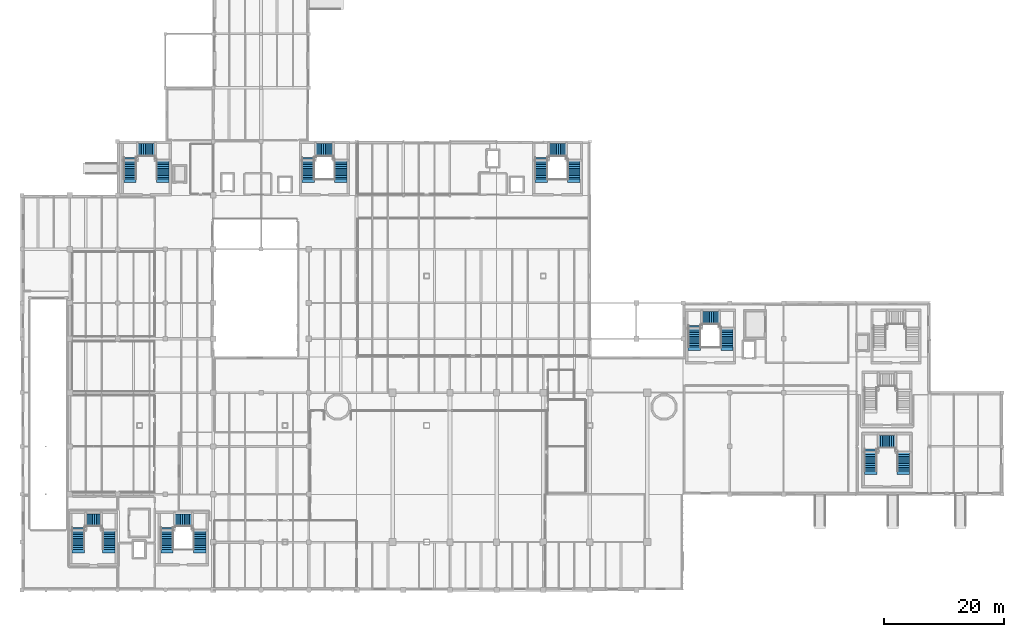
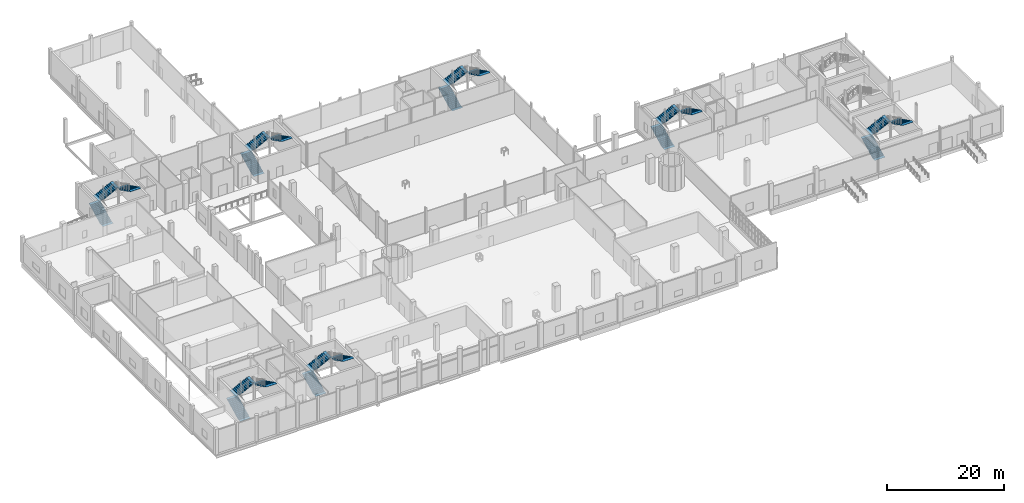
# One storey, part 48 of 57: 21 stair flights, 7 elements without a shape of their own.
"""IFC4 building model written with IfcOpenShell, lengths in metres."""

from ifc_helpers import new_model, si_unit, derived_unit, direction, frame, origin, place, context, subcontext, project, spatial, polyline, outline, extrude, material, type_object, element, aggregate, save


model = new_model("IFC4")

# Units and contexts
model_context = context("Model", 3, precision=1e-05, world=origin(), true_north=direction((0.0, 1.0)))
body_context = subcontext(model_context, "Body", "Model", "MODEL_VIEW")
ifc_project = project(units=[si_unit("LENGTHUNIT", "METRE"), si_unit("AREAUNIT", "SQUARE_METRE"), si_unit("VOLUMEUNIT", "CUBIC_METRE"), si_unit("PLANEANGLEUNIT", "RADIAN"), si_unit("MASSUNIT", "GRAM", prefix="KILO"), derived_unit("THERMALTRANSMITTANCEUNIT", [(si_unit("POWERUNIT", "WATT"), 1), (si_unit("LENGTHUNIT", "METRE"), -2), (si_unit("THERMODYNAMICTEMPERATUREUNIT", "KELVIN"), -1)])], contexts=[model_context])

# Site, building, storey
site_placement = place(None, origin())
site = spatial("IfcSite", under=ifc_project, at=site_placement, CompositionType="ELEMENT")
building_placement = place(site_placement, origin())
building = spatial("IfcBuilding", under=site, at=building_placement, Name="Nallur Shell Playhouse", CompositionType="ELEMENT")
storey_placement = place(building_placement, origin())
storey = spatial("IfcBuildingStorey", under=building, at=storey_placement, Name="L01", CompositionType="ELEMENT", Elevation=0.0)

# Stair, stair flights
ifc_material = material(Name="Concrete M35", Category="concrete")
stair_type = type_object("IfcStairType", Name="ST-CORE-54", PredefinedType="QUARTER_TURN_STAIR", material=ifc_material)
stair_1_placement = place(storey_placement, origin())
stair_1 = element("IfcStair", 1, at=stair_1_placement, inside=storey, type_object=stair_type, Name="Core JC-2 exit stair ST-02-L01 (L01 to L02)", PredefinedType="QUARTER_TURN_STAIR")
stair_flight_type_1 = type_object("IfcStairFlightType", Name="ST-FLIGHT-208", PredefinedType="STRAIGHT", material=ifc_material)
stair_flight_1_placement = place(storey_placement, frame((120.469970703125, 48.60009765625, 0.0), z_axis=(0.0, 0.0, 1.0), x_axis=(0.0, 1.0, 0.0)))
stair_flight_1 = element("IfcStairFlight", 2, at=stair_flight_1_placement, type_object=stair_flight_type_1, Name="ST-54 flight 1", NumberOfRisers=13, NumberOfTreads=12, PredefinedType="STRAIGHT", RiserHeight=0.154286, TreadLength=0.305, context=body_context, shape_type="SweptSolid", body=[
    extrude(outline(polyline([(-0.580078125, 0.0), (-0.580078125, 0.01806640625), (0.0, 0.01806640625), (0.0, 0.154296875), (0.304931640625, 0.154296875), (0.304931640625, 0.30859375), (0.610107421875, 0.30859375), (0.610107421875, 0.462890625), (0.9150390625, 0.462890625), (0.9150390625, 0.6171875), (1.219970703125, 0.6171875), (1.219970703125, 0.771484375), (1.52490234375, 0.771484375), (1.52490234375, 0.92578125), (1.830078125, 0.92578125), (1.830078125, 1.080078125), (2.135009765625, 1.080078125), (2.135009765625, 1.234375), (2.43994140625, 1.234375), (2.43994140625, 1.388671875), (2.7451171875, 1.388671875), (2.7451171875, 1.54296875), (3.050048828125, 1.54296875), (3.050048828125, 1.697265625), (3.35498046875, 1.697265625), (3.35498046875, 1.851318359375), (3.659912109375, 1.851318359375), (3.659912109375, 2.005615234375), (4.239990234375, 2.005615234375), (4.239990234375, 1.987548828125), (3.659912109375, 1.672119140625), (0.354248046875, 0.0), (-0.580078125, 0.0)])), frame((0.0, 1.030029296875, 0.0), z_axis=(0.0, -1.0, 0.0), x_axis=(1.0, 0.0, 0.0)), (0.0, 0.0, 1.0), 2.06005859375),
])
stair_flight_2_placement = place(storey_placement, frame((121.827392578125, 53.510009765625, 2.005615234375), z_axis=(0.0, 0.0, 1.0), x_axis=(1.0, 0.0, 0.0)))
stair_flight_2 = element("IfcStairFlight", 3, at=stair_flight_2_placement, type_object=stair_flight_type_1, Name="ST-54 flight 2", NumberOfRisers=10, NumberOfTreads=9, PredefinedType="STRAIGHT", RiserHeight=0.154286, TreadLength=0.305, context=body_context, shape_type="SweptSolid", body=[
    extrude(outline(polyline([(-0.580078125, 0.0), (-0.580078125, 0.01806640625), (0.0, 0.01806640625), (0.0, 0.154296875), (0.304931640625, 0.154296875), (0.304931640625, 0.30859375), (0.610107421875, 0.30859375), (0.610107421875, 0.462890625), (0.9150390625, 0.462890625), (0.9150390625, 0.6171875), (1.219970703125, 0.6171875), (1.219970703125, 0.771484375), (1.52490234375, 0.771484375), (1.52490234375, 0.92578125), (1.830078125, 0.92578125), (1.830078125, 1.080078125), (2.135009765625, 1.080078125), (2.135009765625, 1.234375), (2.43994140625, 1.234375), (2.43994140625, 1.388671875), (2.7451171875, 1.388671875), (2.7451171875, 1.54296875), (3.3251953125, 1.54296875), (3.3251953125, 1.52490234375), (2.7451171875, 1.20947265625), (0.354248046875, 0.0), (-0.580078125, 0.0)])), frame((0.0, 1.030029296875, 0.0), z_axis=(0.0, -1.0, 0.0), x_axis=(1.0, 0.0, 0.0)), (0.0, 0.0, 1.0), 2.06005859375),
])
stair_flight_3_placement = place(storey_placement, frame((125.929931640625, 51.955078125, 3.548583984375), z_axis=(0.0, 0.0, 1.0), x_axis=(0.0, -1.0, 0.0)))
stair_flight_3 = element("IfcStairFlight", 4, at=stair_flight_3_placement, type_object=stair_flight_type_1, Name="ST-54 flight 3", NumberOfRisers=12, NumberOfTreads=11, PredefinedType="STRAIGHT", RiserHeight=0.154286, TreadLength=0.305, context=body_context, shape_type="SweptSolid", body=[
    extrude(outline(polyline([(-0.580078125, 0.0), (-0.580078125, 0.01806640625), (0.0, 0.01806640625), (0.0, 0.154296875), (0.304931640625, 0.154296875), (0.304931640625, 0.30859375), (0.610107421875, 0.30859375), (0.610107421875, 0.462890625), (0.9150390625, 0.462890625), (0.9150390625, 0.6171875), (1.219970703125, 0.6171875), (1.219970703125, 0.771484375), (1.52490234375, 0.771484375), (1.52490234375, 0.92578125), (1.830078125, 0.92578125), (1.830078125, 1.080078125), (2.135009765625, 1.080078125), (2.135009765625, 1.234375), (2.43994140625, 1.234375), (2.43994140625, 1.388671875), (2.7451171875, 1.388671875), (2.7451171875, 1.54296875), (3.050048828125, 1.54296875), (3.050048828125, 1.697265625), (3.35498046875, 1.697265625), (3.35498046875, 1.851318359375), (3.93505859375, 1.851318359375), (3.93505859375, 1.833251953125), (3.35498046875, 1.517822265625), (0.354248046875, 0.0), (-0.580078125, 0.0)])), frame((0.0, 1.030029296875, 0.0), z_axis=(0.0, -1.0, 0.0), x_axis=(1.0, 0.0, 0.0)), (0.0, 0.0, 1.0), 2.06005859375),
])
aggregate(stair_1, [stair_flight_1, stair_flight_2, stair_flight_3])

stair_2_placement = place(storey_placement, origin())
stair_2 = element("IfcStair", 5, at=stair_2_placement, inside=storey, type_object=stair_type, Name="Core JC-4 exit stair ST-04-L01 (L01 to L02)", PredefinedType="QUARTER_TURN_STAIR")
stair_flight_4_placement = place(storey_placement, frame((94.8701171875, 76.699951171875, 0.0), z_axis=(0.0, 0.0, 1.0), x_axis=(0.0, 1.0, 0.0)))
stair_flight_4 = element("IfcStairFlight", 6, at=stair_flight_4_placement, type_object=stair_flight_type_1, Name="ST-54 flight 1", NumberOfRisers=13, NumberOfTreads=12, PredefinedType="STRAIGHT", RiserHeight=0.154286, TreadLength=0.305, context=body_context, shape_type="SweptSolid", body=[
    extrude(outline(polyline([(-0.580078125, 0.0), (-0.580078125, 0.01806640625), (0.0, 0.01806640625), (0.0, 0.154296875), (0.304931640625, 0.154296875), (0.304931640625, 0.30859375), (0.610107421875, 0.30859375), (0.610107421875, 0.462890625), (0.9150390625, 0.462890625), (0.9150390625, 0.6171875), (1.219970703125, 0.6171875), (1.219970703125, 0.771484375), (1.52490234375, 0.771484375), (1.52490234375, 0.92578125), (1.830078125, 0.92578125), (1.830078125, 1.080078125), (2.135009765625, 1.080078125), (2.135009765625, 1.234375), (2.43994140625, 1.234375), (2.43994140625, 1.388671875), (2.7451171875, 1.388671875), (2.7451171875, 1.54296875), (3.050048828125, 1.54296875), (3.050048828125, 1.697265625), (3.35498046875, 1.697265625), (3.35498046875, 1.851318359375), (3.659912109375, 1.851318359375), (3.659912109375, 2.005615234375), (4.239990234375, 2.005615234375), (4.239990234375, 1.987548828125), (3.659912109375, 1.672119140625), (0.354248046875, 0.0), (-0.580078125, 0.0)])), frame((0.0, 1.030029296875, 0.0), z_axis=(0.0, -1.0, 0.0), x_axis=(1.0, 0.0, 0.0)), (0.0, 0.0, 1.0), 2.06005859375),
])
stair_flight_5_placement = place(storey_placement, frame((96.2275390625, 81.610107421875, 2.005615234375), z_axis=(0.0, 0.0, 1.0), x_axis=(1.0, 0.0, 0.0)))
stair_flight_5 = element("IfcStairFlight", 7, at=stair_flight_5_placement, type_object=stair_flight_type_1, Name="ST-54 flight 2", NumberOfRisers=10, NumberOfTreads=9, PredefinedType="STRAIGHT", RiserHeight=0.154286, TreadLength=0.305, context=body_context, shape_type="SweptSolid", body=[
    extrude(outline(polyline([(-0.580078125, 0.0), (-0.580078125, 0.01806640625), (0.0, 0.01806640625), (0.0, 0.154296875), (0.304931640625, 0.154296875), (0.304931640625, 0.30859375), (0.610107421875, 0.30859375), (0.610107421875, 0.462890625), (0.9150390625, 0.462890625), (0.9150390625, 0.6171875), (1.219970703125, 0.6171875), (1.219970703125, 0.771484375), (1.52490234375, 0.771484375), (1.52490234375, 0.92578125), (1.830078125, 0.92578125), (1.830078125, 1.080078125), (2.135009765625, 1.080078125), (2.135009765625, 1.234375), (2.43994140625, 1.234375), (2.43994140625, 1.388671875), (2.7451171875, 1.388671875), (2.7451171875, 1.54296875), (3.3251953125, 1.54296875), (3.3251953125, 1.52490234375), (2.7451171875, 1.20947265625), (0.354248046875, 0.0), (-0.580078125, 0.0)])), frame((0.0, 1.030029296875, 0.0), z_axis=(0.0, -1.0, 0.0), x_axis=(1.0, 0.0, 0.0)), (0.0, 0.0, 1.0), 2.06005859375),
])
stair_flight_6_placement = place(storey_placement, frame((100.330078125, 80.054931640625, 3.548583984375), z_axis=(0.0, 0.0, 1.0), x_axis=(0.0, -1.0, 0.0)))
stair_flight_6 = element("IfcStairFlight", 8, at=stair_flight_6_placement, type_object=stair_flight_type_1, Name="ST-54 flight 3", NumberOfRisers=12, NumberOfTreads=11, PredefinedType="STRAIGHT", RiserHeight=0.154286, TreadLength=0.305, context=body_context, shape_type="SweptSolid", body=[
    extrude(outline(polyline([(-0.580078125, 0.0), (-0.580078125, 0.01806640625), (0.0, 0.01806640625), (0.0, 0.154296875), (0.304931640625, 0.154296875), (0.304931640625, 0.30859375), (0.610107421875, 0.30859375), (0.610107421875, 0.462890625), (0.9150390625, 0.462890625), (0.9150390625, 0.6171875), (1.219970703125, 0.6171875), (1.219970703125, 0.771484375), (1.52490234375, 0.771484375), (1.52490234375, 0.92578125), (1.830078125, 0.92578125), (1.830078125, 1.080078125), (2.135009765625, 1.080078125), (2.135009765625, 1.234375), (2.43994140625, 1.234375), (2.43994140625, 1.388671875), (2.7451171875, 1.388671875), (2.7451171875, 1.54296875), (3.050048828125, 1.54296875), (3.050048828125, 1.697265625), (3.35498046875, 1.697265625), (3.35498046875, 1.851318359375), (3.93505859375, 1.851318359375), (3.93505859375, 1.833251953125), (3.35498046875, 1.517822265625), (0.354248046875, 0.0), (-0.580078125, 0.0)])), frame((0.0, 1.030029296875, 0.0), z_axis=(0.0, -1.0, 0.0), x_axis=(1.0, 0.0, 0.0)), (0.0, 0.0, 1.0), 2.06005859375),
])
aggregate(stair_2, [stair_flight_4, stair_flight_5, stair_flight_6])

stair_3_placement = place(storey_placement, origin())
stair_3 = element("IfcStair", 9, at=stair_3_placement, inside=storey, type_object=stair_type, Name="Core JC-7 exit stair ST-07-L01 (L01 to L02)", PredefinedType="QUARTER_TURN_STAIR")
stair_flight_7_placement = place(storey_placement, frame((17.419921875, 14.800048828125, 0.0), z_axis=(0.0, 0.0, 1.0), x_axis=(0.0, 1.0, 0.0)))
stair_flight_7 = element("IfcStairFlight", 10, at=stair_flight_7_placement, type_object=stair_flight_type_1, Name="ST-54 flight 1", NumberOfRisers=13, NumberOfTreads=12, PredefinedType="STRAIGHT", RiserHeight=0.154286, TreadLength=0.305, context=body_context, shape_type="SweptSolid", body=[
    extrude(outline(polyline([(-0.580078125, 0.0), (-0.580078125, 0.01806640625), (0.0, 0.01806640625), (0.0, 0.154296875), (0.304931640625, 0.154296875), (0.304931640625, 0.30859375), (0.610107421875, 0.30859375), (0.610107421875, 0.462890625), (0.9150390625, 0.462890625), (0.9150390625, 0.6171875), (1.219970703125, 0.6171875), (1.219970703125, 0.771484375), (1.52490234375, 0.771484375), (1.52490234375, 0.92578125), (1.830078125, 0.92578125), (1.830078125, 1.080078125), (2.135009765625, 1.080078125), (2.135009765625, 1.234375), (2.43994140625, 1.234375), (2.43994140625, 1.388671875), (2.7451171875, 1.388671875), (2.7451171875, 1.54296875), (3.050048828125, 1.54296875), (3.050048828125, 1.697265625), (3.35498046875, 1.697265625), (3.35498046875, 1.851318359375), (3.659912109375, 1.851318359375), (3.659912109375, 2.005615234375), (4.239990234375, 2.005615234375), (4.239990234375, 1.987548828125), (3.659912109375, 1.672119140625), (0.354248046875, 0.0), (-0.580078125, 0.0)])), frame((0.0, 1.030029296875, 0.0), z_axis=(0.0, -1.0, 0.0), x_axis=(1.0, 0.0, 0.0)), (0.0, 0.0, 1.0), 2.06005859375),
])
stair_flight_8_placement = place(storey_placement, frame((18.6025390625, 19.7099609375, 2.005615234375), z_axis=(0.0, 0.0, 1.0), x_axis=(1.0, 0.0, 0.0)))
stair_flight_8 = element("IfcStairFlight", 11, at=stair_flight_8_placement, type_object=stair_flight_type_1, Name="ST-54 flight 2", NumberOfRisers=10, NumberOfTreads=9, PredefinedType="STRAIGHT", RiserHeight=0.154286, TreadLength=0.305, context=body_context, shape_type="SweptSolid", body=[
    extrude(outline(polyline([(-0.580078125, 0.0), (-0.580078125, 0.01806640625), (0.0, 0.01806640625), (0.0, 0.154296875), (0.304931640625, 0.154296875), (0.304931640625, 0.30859375), (0.610107421875, 0.30859375), (0.610107421875, 0.462890625), (0.9150390625, 0.462890625), (0.9150390625, 0.6171875), (1.219970703125, 0.6171875), (1.219970703125, 0.771484375), (1.52490234375, 0.771484375), (1.52490234375, 0.92578125), (1.830078125, 0.92578125), (1.830078125, 1.080078125), (2.135009765625, 1.080078125), (2.135009765625, 1.234375), (2.43994140625, 1.234375), (2.43994140625, 1.388671875), (2.7451171875, 1.388671875), (2.7451171875, 1.54296875), (3.3251953125, 1.54296875), (3.3251953125, 1.52490234375), (2.7451171875, 1.20947265625), (0.354248046875, 0.0), (-0.580078125, 0.0)])), frame((0.0, 1.030029296875, 0.0), z_axis=(0.0, -1.0, 0.0), x_axis=(1.0, 0.0, 0.0)), (0.0, 0.0, 1.0), 2.06005859375),
])
stair_flight_9_placement = place(storey_placement, frame((22.530029296875, 18.155029296875, 3.548583984375), z_axis=(0.0, 0.0, 1.0), x_axis=(0.0, -1.0, 0.0)))
stair_flight_9 = element("IfcStairFlight", 12, at=stair_flight_9_placement, type_object=stair_flight_type_1, Name="ST-54 flight 3", NumberOfRisers=12, NumberOfTreads=11, PredefinedType="STRAIGHT", RiserHeight=0.154286, TreadLength=0.305, context=body_context, shape_type="SweptSolid", body=[
    extrude(outline(polyline([(-0.580078125, 0.0), (-0.580078125, 0.01806640625), (0.0, 0.01806640625), (0.0, 0.154296875), (0.304931640625, 0.154296875), (0.304931640625, 0.30859375), (0.610107421875, 0.30859375), (0.610107421875, 0.462890625), (0.9150390625, 0.462890625), (0.9150390625, 0.6171875), (1.219970703125, 0.6171875), (1.219970703125, 0.771484375), (1.52490234375, 0.771484375), (1.52490234375, 0.92578125), (1.830078125, 0.92578125), (1.830078125, 1.080078125), (2.135009765625, 1.080078125), (2.135009765625, 1.234375), (2.43994140625, 1.234375), (2.43994140625, 1.388671875), (2.7451171875, 1.388671875), (2.7451171875, 1.54296875), (3.050048828125, 1.54296875), (3.050048828125, 1.697265625), (3.35498046875, 1.697265625), (3.35498046875, 1.851318359375), (3.93505859375, 1.851318359375), (3.93505859375, 1.833251953125), (3.35498046875, 1.517822265625), (0.354248046875, 0.0), (-0.580078125, 0.0)])), frame((0.0, 1.030029296875, 0.0), z_axis=(0.0, -1.0, 0.0), x_axis=(1.0, 0.0, 0.0)), (0.0, 0.0, 1.0), 2.06005859375),
])
aggregate(stair_3, [stair_flight_7, stair_flight_8, stair_flight_9])

stair_4_placement = place(storey_placement, origin())
stair_4 = element("IfcStair", 13, at=stair_4_placement, inside=storey, type_object=stair_type, Name="Core JC-8 exit stair ST-08-L01 (L01 to L02)", PredefinedType="QUARTER_TURN_STAIR")
stair_flight_10_placement = place(storey_placement, frame((149.969970703125, 27.89990234375, 0.0), z_axis=(0.0, 0.0, 1.0), x_axis=(0.0, 1.0, 0.0)))
stair_flight_10 = element("IfcStairFlight", 14, at=stair_flight_10_placement, type_object=stair_flight_type_1, Name="ST-54 flight 1", NumberOfRisers=13, NumberOfTreads=12, PredefinedType="STRAIGHT", RiserHeight=0.154286, TreadLength=0.305, context=body_context, shape_type="SweptSolid", body=[
    extrude(outline(polyline([(-0.580078125, 0.0), (-0.580078125, 0.01806640625), (0.0, 0.01806640625), (0.0, 0.154296875), (0.304931640625, 0.154296875), (0.304931640625, 0.30859375), (0.610107421875, 0.30859375), (0.610107421875, 0.462890625), (0.9150390625, 0.462890625), (0.9150390625, 0.6171875), (1.219970703125, 0.6171875), (1.219970703125, 0.771484375), (1.52490234375, 0.771484375), (1.52490234375, 0.92578125), (1.830078125, 0.92578125), (1.830078125, 1.080078125), (2.135009765625, 1.080078125), (2.135009765625, 1.234375), (2.43994140625, 1.234375), (2.43994140625, 1.388671875), (2.7451171875, 1.388671875), (2.7451171875, 1.54296875), (3.050048828125, 1.54296875), (3.050048828125, 1.697265625), (3.35498046875, 1.697265625), (3.35498046875, 1.851318359375), (3.659912109375, 1.851318359375), (3.659912109375, 2.005615234375), (4.239990234375, 2.005615234375), (4.239990234375, 1.987548828125), (3.659912109375, 1.672119140625), (0.354248046875, 0.0), (-0.580078125, 0.0)])), frame((0.0, 1.030029296875, 0.0), z_axis=(0.0, -1.0, 0.0), x_axis=(1.0, 0.0, 0.0)), (0.0, 0.0, 1.0), 2.06005859375),
])
stair_flight_11_placement = place(storey_placement, frame((151.327392578125, 32.81005859375, 2.005615234375), z_axis=(0.0, 0.0, 1.0), x_axis=(1.0, 0.0, 0.0)))
stair_flight_11 = element("IfcStairFlight", 15, at=stair_flight_11_placement, type_object=stair_flight_type_1, Name="ST-54 flight 2", NumberOfRisers=10, NumberOfTreads=9, PredefinedType="STRAIGHT", RiserHeight=0.154286, TreadLength=0.305, context=body_context, shape_type="SweptSolid", body=[
    extrude(outline(polyline([(-0.580078125, 0.0), (-0.580078125, 0.01806640625), (0.0, 0.01806640625), (0.0, 0.154296875), (0.304931640625, 0.154296875), (0.304931640625, 0.30859375), (0.610107421875, 0.30859375), (0.610107421875, 0.462890625), (0.9150390625, 0.462890625), (0.9150390625, 0.6171875), (1.219970703125, 0.6171875), (1.219970703125, 0.771484375), (1.52490234375, 0.771484375), (1.52490234375, 0.92578125), (1.830078125, 0.92578125), (1.830078125, 1.080078125), (2.135009765625, 1.080078125), (2.135009765625, 1.234375), (2.43994140625, 1.234375), (2.43994140625, 1.388671875), (2.7451171875, 1.388671875), (2.7451171875, 1.54296875), (3.3251953125, 1.54296875), (3.3251953125, 1.52490234375), (2.7451171875, 1.20947265625), (0.354248046875, 0.0), (-0.580078125, 0.0)])), frame((0.0, 1.030029296875, 0.0), z_axis=(0.0, -1.0, 0.0), x_axis=(1.0, 0.0, 0.0)), (0.0, 0.0, 1.0), 2.06005859375),
])
stair_flight_12_placement = place(storey_placement, frame((155.429931640625, 31.2548828125, 3.548583984375), z_axis=(0.0, 0.0, 1.0), x_axis=(0.0, -1.0, 0.0)))
stair_flight_12 = element("IfcStairFlight", 16, at=stair_flight_12_placement, type_object=stair_flight_type_1, Name="ST-54 flight 3", NumberOfRisers=12, NumberOfTreads=11, PredefinedType="STRAIGHT", RiserHeight=0.154286, TreadLength=0.305, context=body_context, shape_type="SweptSolid", body=[
    extrude(outline(polyline([(-0.580078125, 0.0), (-0.580078125, 0.01806640625), (0.0, 0.01806640625), (0.0, 0.154296875), (0.304931640625, 0.154296875), (0.304931640625, 0.30859375), (0.610107421875, 0.30859375), (0.610107421875, 0.462890625), (0.9150390625, 0.462890625), (0.9150390625, 0.6171875), (1.219970703125, 0.6171875), (1.219970703125, 0.771484375), (1.52490234375, 0.771484375), (1.52490234375, 0.92578125), (1.830078125, 0.92578125), (1.830078125, 1.080078125), (2.135009765625, 1.080078125), (2.135009765625, 1.234375), (2.43994140625, 1.234375), (2.43994140625, 1.388671875), (2.7451171875, 1.388671875), (2.7451171875, 1.54296875), (3.050048828125, 1.54296875), (3.050048828125, 1.697265625), (3.35498046875, 1.697265625), (3.35498046875, 1.851318359375), (3.93505859375, 1.851318359375), (3.93505859375, 1.833251953125), (3.35498046875, 1.517822265625), (0.354248046875, 0.0), (-0.580078125, 0.0)])), frame((0.0, 1.030029296875, 0.0), z_axis=(0.0, -1.0, 0.0), x_axis=(1.0, 0.0, 0.0)), (0.0, 0.0, 1.0), 2.06005859375),
])
aggregate(stair_4, [stair_flight_10, stair_flight_11, stair_flight_12])

stair_5_placement = place(storey_placement, origin())
stair_5 = element("IfcStair", 17, at=stair_5_placement, inside=storey, type_object=stair_type, Name="Core JC-1 exit stair ST-01-L01 (L01 to L02)", PredefinedType="QUARTER_TURN_STAIR")
stair_flight_type_2 = type_object("IfcStairFlightType", Name="ST-FLIGHT-212", PredefinedType="STRAIGHT", material=ifc_material)
stair_flight_13_placement = place(storey_placement, frame((32.27001953125, 14.800048828125, 0.0), z_axis=(0.0, 0.0, 1.0), x_axis=(0.0, 1.0, 0.0)))
stair_flight_13 = element("IfcStairFlight", 18, at=stair_flight_13_placement, type_object=stair_flight_type_2, Name="ST-54 flight 1", NumberOfRisers=13, NumberOfTreads=12, PredefinedType="STRAIGHT", RiserHeight=0.154286, TreadLength=0.305, context=body_context, shape_type="SweptSolid", body=[
    extrude(outline(polyline([(-0.580078125, 0.0), (-0.580078125, 0.01806640625), (0.0, 0.01806640625), (0.0, 0.154296875), (0.304931640625, 0.154296875), (0.304931640625, 0.30859375), (0.610107421875, 0.30859375), (0.610107421875, 0.462890625), (0.9150390625, 0.462890625), (0.9150390625, 0.6171875), (1.219970703125, 0.6171875), (1.219970703125, 0.771484375), (1.52490234375, 0.771484375), (1.52490234375, 0.92578125), (1.830078125, 0.92578125), (1.830078125, 1.080078125), (2.135009765625, 1.080078125), (2.135009765625, 1.234375), (2.43994140625, 1.234375), (2.43994140625, 1.388671875), (2.7451171875, 1.388671875), (2.7451171875, 1.54296875), (3.050048828125, 1.54296875), (3.050048828125, 1.697265625), (3.35498046875, 1.697265625), (3.35498046875, 1.851318359375), (3.659912109375, 1.851318359375), (3.659912109375, 2.005615234375), (4.239990234375, 2.005615234375), (4.239990234375, 1.987548828125), (3.659912109375, 1.672119140625), (0.354248046875, 0.0), (-0.580078125, 0.0)])), frame((0.0, 1.030029296875, 0.0), z_axis=(0.0, -1.0, 0.0), x_axis=(1.0, 0.0, 0.0)), (0.0, 0.0, 1.0), 2.06005859375),
])
stair_flight_14_placement = place(storey_placement, frame((33.62744140625, 19.7099609375, 2.005615234375), z_axis=(0.0, 0.0, 1.0), x_axis=(1.0, 0.0, 0.0)))
stair_flight_14 = element("IfcStairFlight", 19, at=stair_flight_14_placement, type_object=stair_flight_type_2, Name="ST-54 flight 2", NumberOfRisers=10, NumberOfTreads=9, PredefinedType="STRAIGHT", RiserHeight=0.154286, TreadLength=0.305, context=body_context, shape_type="SweptSolid", body=[
    extrude(outline(polyline([(-0.580078125, 0.0), (-0.580078125, 0.01806640625), (0.0, 0.01806640625), (0.0, 0.154296875), (0.304931640625, 0.154296875), (0.304931640625, 0.30859375), (0.610107421875, 0.30859375), (0.610107421875, 0.462890625), (0.9150390625, 0.462890625), (0.9150390625, 0.6171875), (1.219970703125, 0.6171875), (1.219970703125, 0.771484375), (1.52490234375, 0.771484375), (1.52490234375, 0.92578125), (1.830078125, 0.92578125), (1.830078125, 1.080078125), (2.135009765625, 1.080078125), (2.135009765625, 1.234375), (2.43994140625, 1.234375), (2.43994140625, 1.388671875), (2.7451171875, 1.388671875), (2.7451171875, 1.54296875), (3.3251953125, 1.54296875), (3.3251953125, 1.52490234375), (2.7451171875, 1.20947265625), (0.354248046875, 0.0), (-0.580078125, 0.0)])), frame((0.0, 1.030029296875, 0.0), z_axis=(0.0, -1.0, 0.0), x_axis=(1.0, 0.0, 0.0)), (0.0, 0.0, 1.0), 2.06005859375),
])
stair_flight_15_placement = place(storey_placement, frame((37.72998046875, 18.155029296875, 3.548583984375), z_axis=(0.0, 0.0, 1.0), x_axis=(0.0, -1.0, 0.0)))
stair_flight_15 = element("IfcStairFlight", 20, at=stair_flight_15_placement, type_object=stair_flight_type_2, Name="ST-54 flight 3", NumberOfRisers=12, NumberOfTreads=11, PredefinedType="STRAIGHT", RiserHeight=0.154286, TreadLength=0.305, context=body_context, shape_type="SweptSolid", body=[
    extrude(outline(polyline([(-0.580078125, 0.0), (-0.580078125, 0.01806640625), (0.0, 0.01806640625), (0.0, 0.154296875), (0.304931640625, 0.154296875), (0.304931640625, 0.30859375), (0.610107421875, 0.30859375), (0.610107421875, 0.462890625), (0.9150390625, 0.462890625), (0.9150390625, 0.6171875), (1.219970703125, 0.6171875), (1.219970703125, 0.771484375), (1.52490234375, 0.771484375), (1.52490234375, 0.92578125), (1.830078125, 0.92578125), (1.830078125, 1.080078125), (2.135009765625, 1.080078125), (2.135009765625, 1.234375), (2.43994140625, 1.234375), (2.43994140625, 1.388671875), (2.7451171875, 1.388671875), (2.7451171875, 1.54296875), (3.050048828125, 1.54296875), (3.050048828125, 1.697265625), (3.35498046875, 1.697265625), (3.35498046875, 1.851318359375), (3.93505859375, 1.851318359375), (3.93505859375, 1.833251953125), (3.35498046875, 1.517822265625), (0.354248046875, 0.0), (-0.580078125, 0.0)])), frame((0.0, 1.030029296875, 0.0), z_axis=(0.0, -1.0, 0.0), x_axis=(1.0, 0.0, 0.0)), (0.0, 0.0, 1.0), 2.06005859375),
])
aggregate(stair_5, [stair_flight_13, stair_flight_14, stair_flight_15])

stair_6_placement = place(storey_placement, origin())
stair_6 = element("IfcStair", 21, at=stair_6_placement, inside=storey, type_object=stair_type, Name="Core JC-3 exit stair ST-03-L01 (L01 to L02)", PredefinedType="QUARTER_TURN_STAIR")
stair_flight_16_placement = place(storey_placement, frame((55.8701171875, 76.699951171875, 0.0), z_axis=(0.0, 0.0, 1.0), x_axis=(0.0, 1.0, 0.0)))
stair_flight_16 = element("IfcStairFlight", 22, at=stair_flight_16_placement, type_object=stair_flight_type_2, Name="ST-54 flight 1", NumberOfRisers=13, NumberOfTreads=12, PredefinedType="STRAIGHT", RiserHeight=0.154286, TreadLength=0.305, context=body_context, shape_type="SweptSolid", body=[
    extrude(outline(polyline([(-0.580078125, 0.0), (-0.580078125, 0.01806640625), (0.0, 0.01806640625), (0.0, 0.154296875), (0.304931640625, 0.154296875), (0.304931640625, 0.30859375), (0.610107421875, 0.30859375), (0.610107421875, 0.462890625), (0.9150390625, 0.462890625), (0.9150390625, 0.6171875), (1.219970703125, 0.6171875), (1.219970703125, 0.771484375), (1.52490234375, 0.771484375), (1.52490234375, 0.92578125), (1.830078125, 0.92578125), (1.830078125, 1.080078125), (2.135009765625, 1.080078125), (2.135009765625, 1.234375), (2.43994140625, 1.234375), (2.43994140625, 1.388671875), (2.7451171875, 1.388671875), (2.7451171875, 1.54296875), (3.050048828125, 1.54296875), (3.050048828125, 1.697265625), (3.35498046875, 1.697265625), (3.35498046875, 1.851318359375), (3.659912109375, 1.851318359375), (3.659912109375, 2.005615234375), (4.239990234375, 2.005615234375), (4.239990234375, 1.987548828125), (3.659912109375, 1.672119140625), (0.354248046875, 0.0), (-0.580078125, 0.0)])), frame((0.0, 1.030029296875, 0.0), z_axis=(0.0, -1.0, 0.0), x_axis=(1.0, 0.0, 0.0)), (0.0, 0.0, 1.0), 2.06005859375),
])
stair_flight_17_placement = place(storey_placement, frame((57.2275390625, 81.610107421875, 2.005615234375), z_axis=(0.0, 0.0, 1.0), x_axis=(1.0, 0.0, 0.0)))
stair_flight_17 = element("IfcStairFlight", 23, at=stair_flight_17_placement, type_object=stair_flight_type_2, Name="ST-54 flight 2", NumberOfRisers=10, NumberOfTreads=9, PredefinedType="STRAIGHT", RiserHeight=0.154286, TreadLength=0.305, context=body_context, shape_type="SweptSolid", body=[
    extrude(outline(polyline([(-0.580078125, 0.0), (-0.580078125, 0.01806640625), (0.0, 0.01806640625), (0.0, 0.154296875), (0.304931640625, 0.154296875), (0.304931640625, 0.30859375), (0.610107421875, 0.30859375), (0.610107421875, 0.462890625), (0.9150390625, 0.462890625), (0.9150390625, 0.6171875), (1.219970703125, 0.6171875), (1.219970703125, 0.771484375), (1.52490234375, 0.771484375), (1.52490234375, 0.92578125), (1.830078125, 0.92578125), (1.830078125, 1.080078125), (2.135009765625, 1.080078125), (2.135009765625, 1.234375), (2.43994140625, 1.234375), (2.43994140625, 1.388671875), (2.7451171875, 1.388671875), (2.7451171875, 1.54296875), (3.3251953125, 1.54296875), (3.3251953125, 1.52490234375), (2.7451171875, 1.20947265625), (0.354248046875, 0.0), (-0.580078125, 0.0)])), frame((0.0, 1.030029296875, 0.0), z_axis=(0.0, -1.0, 0.0), x_axis=(1.0, 0.0, 0.0)), (0.0, 0.0, 1.0), 2.06005859375),
])
stair_flight_18_placement = place(storey_placement, frame((61.330078125, 80.054931640625, 3.548583984375), z_axis=(0.0, 0.0, 1.0), x_axis=(0.0, -1.0, 0.0)))
stair_flight_18 = element("IfcStairFlight", 24, at=stair_flight_18_placement, type_object=stair_flight_type_2, Name="ST-54 flight 3", NumberOfRisers=12, NumberOfTreads=11, PredefinedType="STRAIGHT", RiserHeight=0.154286, TreadLength=0.305, context=body_context, shape_type="SweptSolid", body=[
    extrude(outline(polyline([(-0.580078125, 0.0), (-0.580078125, 0.01806640625), (0.0, 0.01806640625), (0.0, 0.154296875), (0.304931640625, 0.154296875), (0.304931640625, 0.30859375), (0.610107421875, 0.30859375), (0.610107421875, 0.462890625), (0.9150390625, 0.462890625), (0.9150390625, 0.6171875), (1.219970703125, 0.6171875), (1.219970703125, 0.771484375), (1.52490234375, 0.771484375), (1.52490234375, 0.92578125), (1.830078125, 0.92578125), (1.830078125, 1.080078125), (2.135009765625, 1.080078125), (2.135009765625, 1.234375), (2.43994140625, 1.234375), (2.43994140625, 1.388671875), (2.7451171875, 1.388671875), (2.7451171875, 1.54296875), (3.050048828125, 1.54296875), (3.050048828125, 1.697265625), (3.35498046875, 1.697265625), (3.35498046875, 1.851318359375), (3.93505859375, 1.851318359375), (3.93505859375, 1.833251953125), (3.35498046875, 1.517822265625), (0.354248046875, 0.0), (-0.580078125, 0.0)])), frame((0.0, 1.030029296875, 0.0), z_axis=(0.0, -1.0, 0.0), x_axis=(1.0, 0.0, 0.0)), (0.0, 0.0, 1.0), 2.06005859375),
])
aggregate(stair_6, [stair_flight_16, stair_flight_17, stair_flight_18])

stair_7_placement = place(storey_placement, origin())
stair_7 = element("IfcStair", 25, at=stair_7_placement, inside=storey, type_object=stair_type, Name="Core JC-6 exit stair ST-06-L01 (L01 to L02)", PredefinedType="QUARTER_TURN_STAIR")
stair_flight_19_placement = place(storey_placement, frame((26.070068359375, 76.699951171875, 0.0), z_axis=(0.0, 0.0, 1.0), x_axis=(0.0, 1.0, 0.0)))
stair_flight_19 = element("IfcStairFlight", 26, at=stair_flight_19_placement, type_object=stair_flight_type_2, Name="ST-54 flight 1", NumberOfRisers=13, NumberOfTreads=12, PredefinedType="STRAIGHT", RiserHeight=0.154286, TreadLength=0.305, context=body_context, shape_type="SweptSolid", body=[
    extrude(outline(polyline([(-0.580078125, 0.0), (-0.580078125, 0.01806640625), (0.0, 0.01806640625), (0.0, 0.154296875), (0.304931640625, 0.154296875), (0.304931640625, 0.30859375), (0.610107421875, 0.30859375), (0.610107421875, 0.462890625), (0.9150390625, 0.462890625), (0.9150390625, 0.6171875), (1.219970703125, 0.6171875), (1.219970703125, 0.771484375), (1.52490234375, 0.771484375), (1.52490234375, 0.92578125), (1.830078125, 0.92578125), (1.830078125, 1.080078125), (2.135009765625, 1.080078125), (2.135009765625, 1.234375), (2.43994140625, 1.234375), (2.43994140625, 1.388671875), (2.7451171875, 1.388671875), (2.7451171875, 1.54296875), (3.050048828125, 1.54296875), (3.050048828125, 1.697265625), (3.35498046875, 1.697265625), (3.35498046875, 1.851318359375), (3.659912109375, 1.851318359375), (3.659912109375, 2.005615234375), (4.239990234375, 2.005615234375), (4.239990234375, 1.987548828125), (3.659912109375, 1.672119140625), (0.354248046875, 0.0), (-0.580078125, 0.0)])), frame((0.0, 1.030029296875, 0.0), z_axis=(0.0, -1.0, 0.0), x_axis=(1.0, 0.0, 0.0)), (0.0, 0.0, 1.0), 2.06005859375),
])
stair_flight_20_placement = place(storey_placement, frame((27.427490234375, 81.610107421875, 2.005615234375), z_axis=(0.0, 0.0, 1.0), x_axis=(1.0, 0.0, 0.0)))
stair_flight_20 = element("IfcStairFlight", 27, at=stair_flight_20_placement, type_object=stair_flight_type_2, Name="ST-54 flight 2", NumberOfRisers=10, NumberOfTreads=9, PredefinedType="STRAIGHT", RiserHeight=0.154286, TreadLength=0.305, context=body_context, shape_type="SweptSolid", body=[
    extrude(outline(polyline([(-0.580078125, 0.0), (-0.580078125, 0.01806640625), (0.0, 0.01806640625), (0.0, 0.154296875), (0.304931640625, 0.154296875), (0.304931640625, 0.30859375), (0.610107421875, 0.30859375), (0.610107421875, 0.462890625), (0.9150390625, 0.462890625), (0.9150390625, 0.6171875), (1.219970703125, 0.6171875), (1.219970703125, 0.771484375), (1.52490234375, 0.771484375), (1.52490234375, 0.92578125), (1.830078125, 0.92578125), (1.830078125, 1.080078125), (2.135009765625, 1.080078125), (2.135009765625, 1.234375), (2.43994140625, 1.234375), (2.43994140625, 1.388671875), (2.7451171875, 1.388671875), (2.7451171875, 1.54296875), (3.3251953125, 1.54296875), (3.3251953125, 1.52490234375), (2.7451171875, 1.20947265625), (0.354248046875, 0.0), (-0.580078125, 0.0)])), frame((0.0, 1.030029296875, 0.0), z_axis=(0.0, -1.0, 0.0), x_axis=(1.0, 0.0, 0.0)), (0.0, 0.0, 1.0), 2.06005859375),
])
stair_flight_21_placement = place(storey_placement, frame((31.530029296875, 80.054931640625, 3.548583984375), z_axis=(0.0, 0.0, 1.0), x_axis=(0.0, -1.0, 0.0)))
stair_flight_21 = element("IfcStairFlight", 28, at=stair_flight_21_placement, type_object=stair_flight_type_2, Name="ST-54 flight 3", NumberOfRisers=12, NumberOfTreads=11, PredefinedType="STRAIGHT", RiserHeight=0.154286, TreadLength=0.305, context=body_context, shape_type="SweptSolid", body=[
    extrude(outline(polyline([(-0.580078125, 0.0), (-0.580078125, 0.01806640625), (0.0, 0.01806640625), (0.0, 0.154296875), (0.304931640625, 0.154296875), (0.304931640625, 0.30859375), (0.610107421875, 0.30859375), (0.610107421875, 0.462890625), (0.9150390625, 0.462890625), (0.9150390625, 0.6171875), (1.219970703125, 0.6171875), (1.219970703125, 0.771484375), (1.52490234375, 0.771484375), (1.52490234375, 0.92578125), (1.830078125, 0.92578125), (1.830078125, 1.080078125), (2.135009765625, 1.080078125), (2.135009765625, 1.234375), (2.43994140625, 1.234375), (2.43994140625, 1.388671875), (2.7451171875, 1.388671875), (2.7451171875, 1.54296875), (3.050048828125, 1.54296875), (3.050048828125, 1.697265625), (3.35498046875, 1.697265625), (3.35498046875, 1.851318359375), (3.93505859375, 1.851318359375), (3.93505859375, 1.833251953125), (3.35498046875, 1.517822265625), (0.354248046875, 0.0), (-0.580078125, 0.0)])), frame((0.0, 1.030029296875, 0.0), z_axis=(0.0, -1.0, 0.0), x_axis=(1.0, 0.0, 0.0)), (0.0, 0.0, 1.0), 2.06005859375),
])
aggregate(stair_7, [stair_flight_19, stair_flight_20, stair_flight_21])

save(model, "model.ifc")
